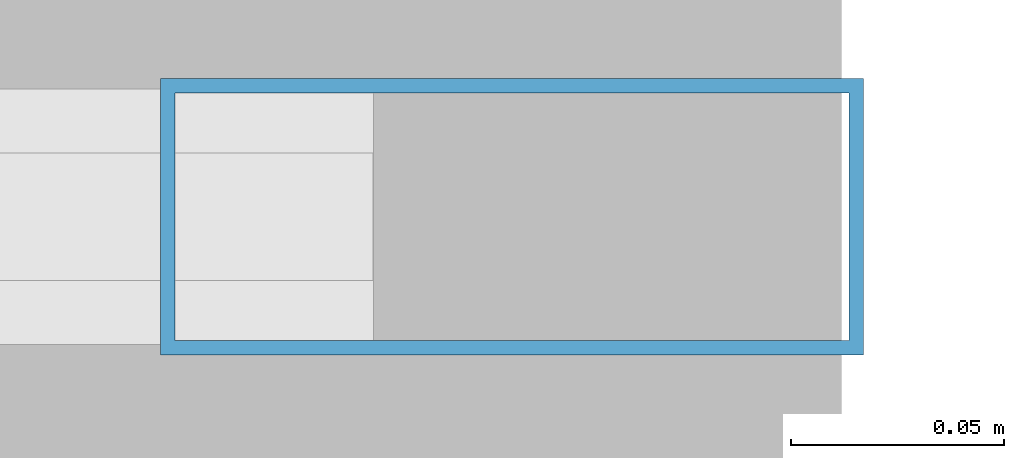
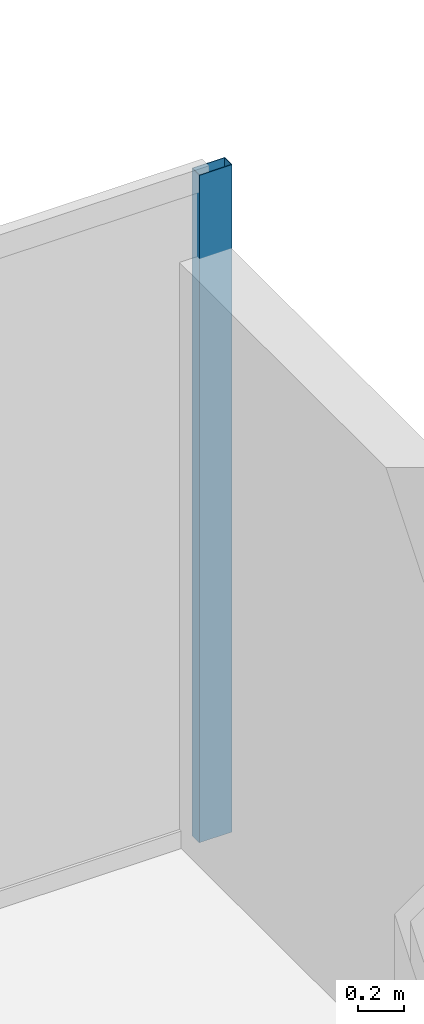
# One storey, part 25 of 33: 1 member, 1 element without a shape of its own.
"""IFC4 building model written with IfcOpenShell, lengths in metres."""

from ifc_helpers import new_model, si_unit, direction, frame, origin, origin_2d, place, context, subcontext, project, spatial, hollow_rectangle, extrude, source, transform, mapped, material, layer, layer_set, material_profile, profile_set, type_object, type_shapes, element, aggregate, save


model = new_model("IFC4")

# Units and contexts
model_context = context("Model", 3, precision=1e-05, world=origin(), true_north=direction((0.0, 1.0)))
body_context = subcontext(model_context, "Body", "Model", "MODEL_VIEW")
ifc_project = project(units=[si_unit("LENGTHUNIT", "METRE"), si_unit("AREAUNIT", "SQUARE_METRE"), si_unit("VOLUMEUNIT", "CUBIC_METRE"), si_unit("PLANEANGLEUNIT", "RADIAN"), si_unit("MASSUNIT", "GRAM", prefix="KILO")], contexts=[model_context])

# Site, building, storey
site_placement = place(None, origin())
site = spatial("IfcSite", under=ifc_project, at=site_placement, CompositionType="ELEMENT")
building_placement = place(site_placement, origin())
building = spatial("IfcBuilding", under=site, at=building_placement, Name="Varnel Quay Broadcast Tower", CompositionType="ELEMENT")
storey_placement = place(building_placement, frame((0.0, 0.0, 145.800048828125)))
storey = spatial("IfcBuildingStorey", under=building, at=storey_placement, Name="L35", CompositionType="ELEMENT", Elevation=145.800048828125)

# Curtain wall, member
ifc_material = material(Name="Anodised Bronze Aluminium 6063-T6", Category="aluminium")
ifc_layer = layer(ifc_material, 0.18994140625, Name="Anodised Bronze Aluminium 6063-T6")
ifc_layer_set = layer_set([ifc_layer], Name="Anodised Bronze Aluminium 6063-T6")
curtain_wall_type = type_object("IfcCurtainWallType", Name="CW_UpperTower", PredefinedType="NOTDEFINED", material=ifc_layer_set)
curtain_wall_placement = place(storey_placement, origin())
curtain_wall = element("IfcCurtainWall", 1, at=curtain_wall_placement, inside=storey, type_object=curtain_wall_type, Name="L35 NE Wing Curtain Wall", PredefinedType="NOTDEFINED")
ifc_material_profile = material_profile(ifc_material, hollow_rectangle(XDim=0.06494140625, YDim=0.1650390625, WallThickness=0.00341796875, at=origin_2d()), Name="ALU65X165X3.5")
ifc_profile_set = profile_set([ifc_material_profile], Name="Anodised Bronze Aluminium 6063-T6")
member_type = type_object("IfcMemberType", Name="Mull_CWS-03", PredefinedType="MULLION", material=ifc_profile_set)
shared_shape = source(origin(), body_context, "Body", "SweptSolid", [
    extrude(hollow_rectangle(XDim=0.06494140625, YDim=0.1650390625, WallThickness=0.00341796875, at=origin_2d()), origin(), (0.0, 0.0, 1.0), 3.550048828125),
])
type_shapes(member_type, [shared_shape])
member_placement = place(storey_placement, frame((57.447509765625, 46.64990234375, 0.0), z_axis=(0.0, 0.0, 1.0), x_axis=(0.0, 1.0, 0.0)))
member = element("IfcMember", 2, at=member_placement, type_object=member_type, Name="CWS-03 mullion 2", PredefinedType="MULLION", context=body_context, shape_type="MappedRepresentation", body=[
    mapped(shared_shape, transform((0.0, 0.0, 0.0), x_axis=(1.0, 0.0, 0.0), y_axis=(0.0, 1.0, 0.0), z_axis=(0.0, 0.0, 1.0), scale=1.0)),
])
aggregate(curtain_wall, [member])

save(model, "model.ifc")
